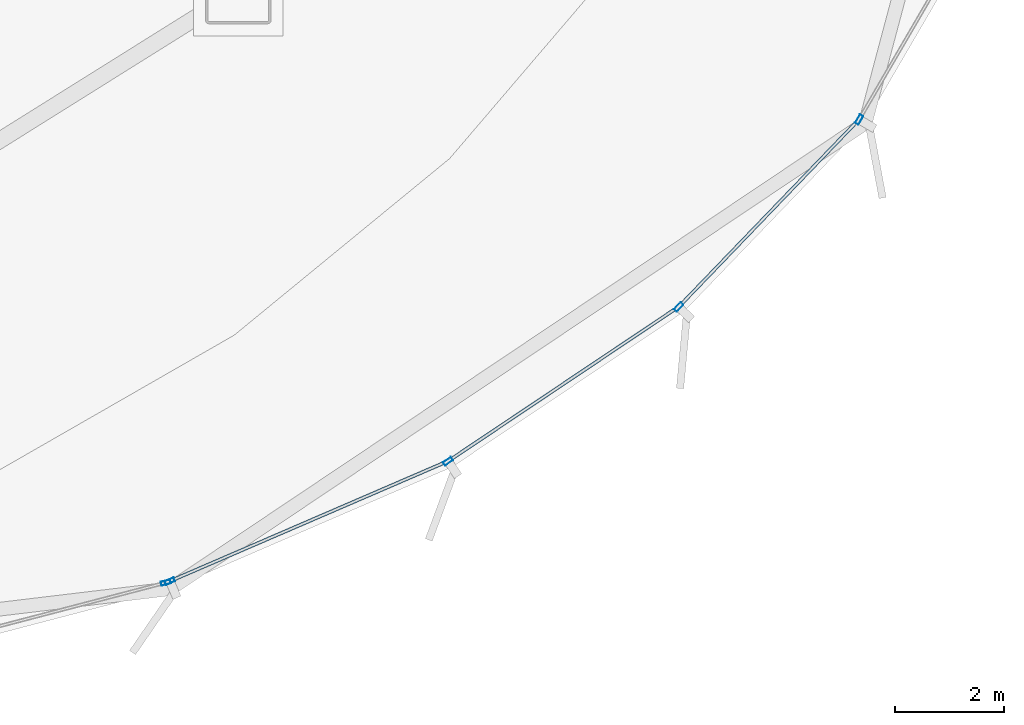
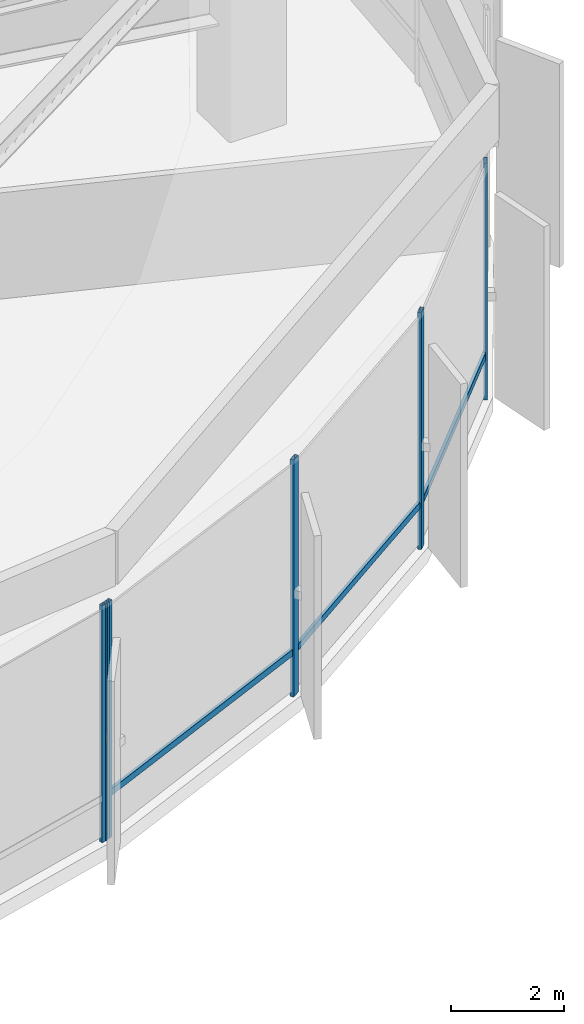
# One storey, part 18 of 36: 8 members, 2 elements without a shape of their own.
"""IFC4 building model written with IfcOpenShell, lengths in metres."""

from ifc_helpers import new_model, si_unit, direction, frame, origin, origin_2d, place, context, subcontext, project, spatial, hollow_rectangle, extrude, source, transform, mapped, material, layer, layer_set, material_profile, profile_set, type_object, element, aggregate, save


model = new_model("IFC4")

# Units and contexts
model_context = context("Model", 3, precision=1e-05, world=origin(), true_north=direction((0.0, 1.0)))
body_context = subcontext(model_context, "Body", "Model", "MODEL_VIEW")
ifc_project = project(units=[si_unit("LENGTHUNIT", "METRE"), si_unit("AREAUNIT", "SQUARE_METRE"), si_unit("VOLUMEUNIT", "CUBIC_METRE"), si_unit("PLANEANGLEUNIT", "RADIAN"), si_unit("MASSUNIT", "GRAM", prefix="KILO"), si_unit("THERMODYNAMICTEMPERATUREUNIT", "KELVIN")], contexts=[model_context])

# Site, building, storey
site_placement = place(None, origin())
site = spatial("IfcSite", under=ifc_project, at=site_placement, CompositionType="ELEMENT")
building_placement = place(site_placement, origin())
building = spatial("IfcBuilding", under=site, at=building_placement, Name="Kethvar Cultural Tower", CompositionType="ELEMENT")
storey_placement = place(building_placement, frame((0.0, 0.0, 24.0)))
storey = spatial("IfcBuildingStorey", under=building, at=storey_placement, Name="L05", CompositionType="ELEMENT", Elevation=24.0)

# Curtain wall, members
ifc_material = material(Name="Aluminium 6063-T6", Category="aluminium")
ifc_layer = layer(ifc_material, 0.179931640625, Name="Aluminium 6063-T6", Category="aluminium")
ifc_layer_set = layer_set([ifc_layer], Name="Aluminium 6063-T6 (180 mm)")
curtain_wall_type = type_object("IfcCurtainWallType", Name="CW-SYS-01-POD", PredefinedType="NOTDEFINED", material=ifc_layer_set)
curtain_wall_1_placement = place(storey_placement, origin())
curtain_wall_1 = element("IfcCurtainWall", 1, at=curtain_wall_1_placement, inside=storey, type_object=curtain_wall_type, Name="L05 Curtain Wall Run 06", PredefinedType="NOTDEFINED")
ifc_material_profile_1 = material_profile(ifc_material, hollow_rectangle(XDim=0.06005859375, YDim=0.139892578125, WallThickness=0.0048828125, at=origin_2d()), Name="Aluminium 6063-T6 — RHS140x60x5")
ifc_profile_set_1 = profile_set([ifc_material_profile_1], Name="Aluminium 6063-T6 — RHS140x60x5")
member_type_1 = type_object("IfcMemberType", Name="CW-SYS-01-POD-TRN", PredefinedType="USERDEFINED", material=ifc_profile_set_1)
shared_shape_1 = source(origin(), body_context, "Body", "SweptSolid", [
    extrude(hollow_rectangle(XDim=0.06005859375, YDim=0.139892578125, WallThickness=0.0048828125, at=origin_2d()), origin(), (0.0, 0.0, 1.0), 4.6826171875),
])
member_1_placement = place(storey_placement, frame((75.5068359375, 8.283203125, 0.949951171875), z_axis=(0.693341040309, 0.72060960431, 0.0), x_axis=(-0.72060960431, 0.693341040309, 0.0)))
member_1 = element("IfcMember", 2, at=member_1_placement, type_object=member_type_1, Name="CW-L05-R06 Transom 3", ObjectType="TRANSOM", PredefinedType="USERDEFINED", context=body_context, shape_type="MappedRepresentation", body=[
    mapped(shared_shape_1, transform((0.0, 0.0, 0.0), scale=1.0)),
])
shared_shape_2 = source(origin(), body_context, "Body", "SweptSolid", [
    extrude(hollow_rectangle(XDim=0.06005859375, YDim=0.139892578125, WallThickness=0.0048828125, at=origin_2d()), origin(), (0.0, 0.0, 1.0), 4.991455078125),
])
member_2_placement = place(storey_placement, frame((71.298828125, 5.4541015625, 0.949951171875), z_axis=(0.830806616573, 0.556561196867, 0.0), x_axis=(-0.556561196867, 0.830806616573, 0.0)))
member_2 = element("IfcMember", 3, at=member_2_placement, type_object=member_type_1, Name="CW-L05-R06 Transom 2", ObjectType="TRANSOM", PredefinedType="USERDEFINED", context=body_context, shape_type="MappedRepresentation", body=[
    mapped(shared_shape_2, transform((0.0, 0.0, 0.0), scale=1.0)),
])
shared_shape_3 = source(origin(), body_context, "Body", "SweptSolid", [
    extrude(hollow_rectangle(XDim=0.06005859375, YDim=0.139892578125, WallThickness=0.0048828125, at=origin_2d()), origin(), (0.0, 0.0, 1.0), 5.504638671875),
])
member_3_placement = place(storey_placement, frame((66.17138671875, 3.231689453125, 0.949951171875), z_axis=(0.918072625283, 0.39641222825, 0.0), x_axis=(-0.39641222825, 0.918072625283, 0.0)))
member_3 = element("IfcMember", 4, at=member_3_placement, type_object=member_type_1, Name="CW-L05-R06 Transom 1", ObjectType="TRANSOM", PredefinedType="USERDEFINED", context=body_context, shape_type="MappedRepresentation", body=[
    mapped(shared_shape_3, transform((0.0, 0.0, 0.0), scale=1.0)),
])

# Curtain wall, member
curtain_wall_2_placement = place(storey_placement, origin())
curtain_wall_2 = element("IfcCurtainWall", 5, at=curtain_wall_2_placement, inside=storey, type_object=curtain_wall_type, Name="L05 Curtain Wall Run 05", PredefinedType="NOTDEFINED")
ifc_material_profile_2 = material_profile(ifc_material, hollow_rectangle(XDim=0.074951171875, YDim=0.179931640625, WallThickness=0.006103515625, at=origin_2d()), Name="Aluminium 6063-T6 — RHS180x75x6")
ifc_profile_set_2 = profile_set([ifc_material_profile_2], Name="Aluminium 6063-T6 — RHS180x75x6")
member_type_2 = type_object("IfcMemberType", Name="CW-SYS-01-POD-MUL", PredefinedType="MULLION", material=ifc_profile_set_2)
shared_shape_4 = source(origin(), body_context, "Body", "SweptSolid", [
    extrude(hollow_rectangle(XDim=0.074951171875, YDim=0.179931640625, WallThickness=0.006103515625, at=origin_2d()), origin(), (0.0, 0.0, 1.0), 5.1201171875),
])
member_4_placement = place(storey_placement, frame((66.09326171875, 3.204345703125, 0.0), z_axis=(0.0, 0.0, 1.0), x_axis=(-0.253031946887, 0.967457923558, 0.0)))
member_4 = element("IfcMember", 6, at=member_4_placement, type_object=member_type_2, Name="CW-L05-R05 Mullion 7", PredefinedType="MULLION", context=body_context, shape_type="MappedRepresentation", body=[
    mapped(shared_shape_4, transform((0.0, 0.0, 0.0), scale=1.0)),
])
aggregate(curtain_wall_2, [member_4])

# Member
member_5_placement = place(storey_placement, frame((66.16650390625, 3.229736328125, 0.0), z_axis=(0.0, 0.0, 1.0), x_axis=(-0.396410942082, 0.918073180633, 0.0)))
member_5 = element("IfcMember", 7, at=member_5_placement, type_object=member_type_2, Name="CW-L05-R06 Mullion 1", PredefinedType="MULLION", context=body_context, shape_type="MappedRepresentation", body=[
    mapped(shared_shape_4, transform((0.0, 0.0, 0.0), scale=1.0)),
])

member_6_placement = place(storey_placement, frame((71.25390625, 5.424072265625, 0.0), z_axis=(0.0, 0.0, 1.0), x_axis=(-0.556556649514, 0.830809662848, 0.0)))
member_6 = element("IfcMember", 8, at=member_6_placement, type_object=member_type_2, Name="CW-L05-R06 Mullion 2", PredefinedType="MULLION", context=body_context, shape_type="MappedRepresentation", body=[
    mapped(shared_shape_4, transform((0.0, 0.0, 0.0), scale=1.0)),
])

member_7_placement = place(storey_placement, frame((75.469482421875, 8.244384765625, 0.0), z_axis=(0.0, 0.0, 1.0), x_axis=(-0.720611619661, 0.693338945689, 0.0)))
member_7 = element("IfcMember", 9, at=member_7_placement, type_object=member_type_2, Name="CW-L05-R06 Mullion 3", PredefinedType="MULLION", context=body_context, shape_type="MappedRepresentation", body=[
    mapped(shared_shape_4, transform((0.0, 0.0, 0.0), scale=1.0)),
])

member_8_placement = place(storey_placement, frame((78.772216796875, 11.671630859375, 0.0), z_axis=(0.0, 0.0, 1.0), x_axis=(-0.863984939927, 0.503517649721, 0.0)))
member_8 = element("IfcMember", 10, at=member_8_placement, type_object=member_type_2, Name="CW-L05-R06 Mullion 4", PredefinedType="MULLION", context=body_context, shape_type="MappedRepresentation", body=[
    mapped(shared_shape_4, transform((0.0, 0.0, 0.0), scale=1.0)),
])

aggregate(curtain_wall_1, [member_5, member_6, member_7, member_8, member_3, member_2, member_1])

save(model, "model.ifc")
